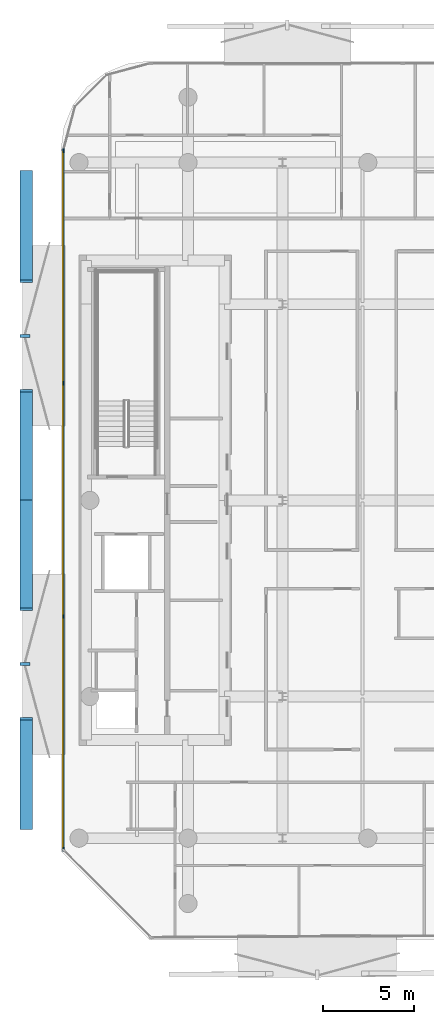
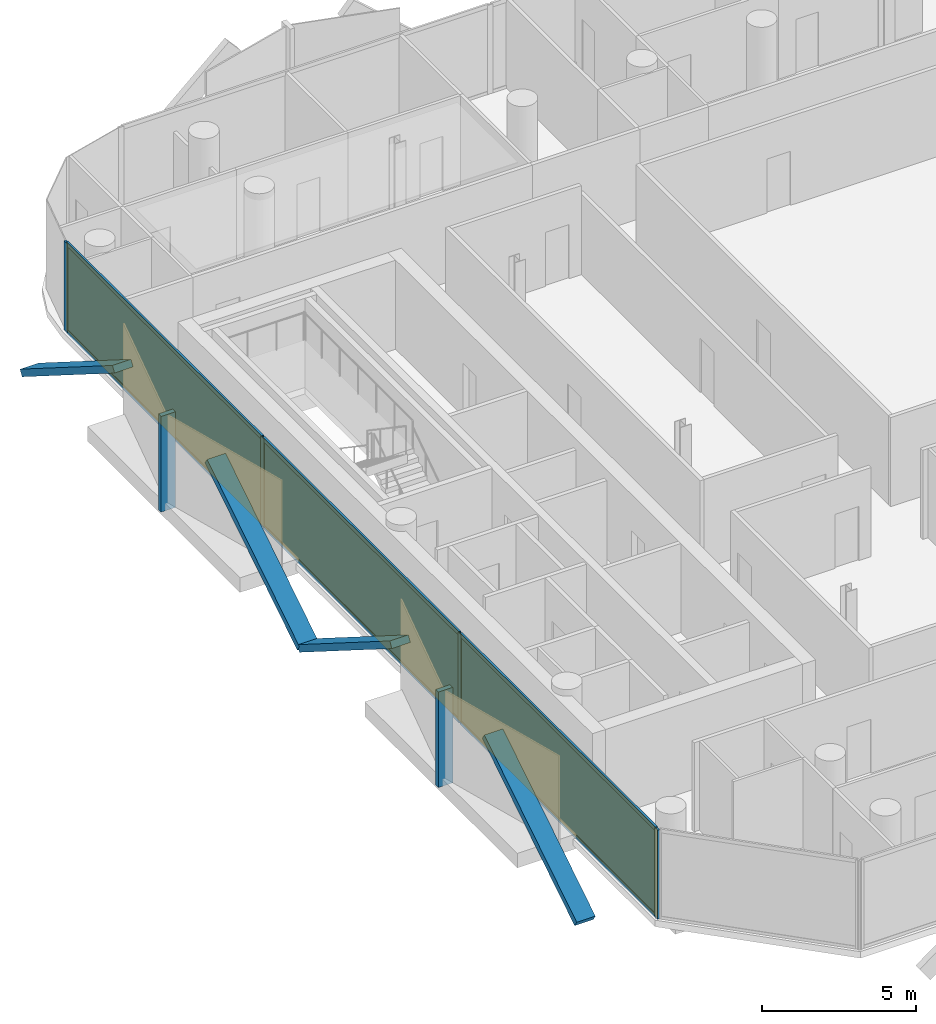
# One storey, part 10 of 16: 16 members, 3 plates, 1 curtain wall.
"""IFC4 building model written with IfcOpenShell, lengths in metres."""

from ifc_helpers import new_model, si_unit, direction, frame, frame_2d, origin, origin_2d, place, context, subcontext, project, spatial, rectangle, extrude, material, layer, layer_set, material_profile, profile_set, type_object, element, aggregate, save


model = new_model("IFC4")

# Units and contexts
model_context = context("Model", 3, precision=1e-05, world=origin(), true_north=direction((0.0, 1.0)))
body_context = subcontext(model_context, "Body", "Model", "MODEL_VIEW")
ifc_project = project(units=[si_unit("LENGTHUNIT", "METRE"), si_unit("AREAUNIT", "SQUARE_METRE"), si_unit("VOLUMEUNIT", "CUBIC_METRE"), si_unit("PLANEANGLEUNIT", "RADIAN"), si_unit("MASSUNIT", "GRAM", prefix="KILO")], contexts=[model_context])

# Member
ifc_material_1 = material(Name="Anodised Bronze Aluminium 6063-T6", Category="aluminium")
ifc_material_profile_1 = material_profile(ifc_material_1, rectangle(XDim=0.260009765625, YDim=0.699951171875, at=origin_2d()))
ifc_profile_set_1 = profile_set([ifc_material_profile_1], Name="Anodised Bronze Aluminium 6063-T6")
member_type_1 = type_object("IfcMemberType", Name="Bronze Diamond Solar-Screen Lattice Rib BDL-700", PredefinedType="MULLION", material=ifc_profile_set_1)
site_placement = place(None, origin())
building_placement = place(site_placement, origin())
storey_placement = place(building_placement, frame((0.0, 0.0, 277.60009765625)))
member_1_placement = place(storey_placement, frame((-23.300048828125, -18.0419921875, -0.130126953125), z_axis=(0.0, 0.845698220197, 0.533661428581), x_axis=(0.0, -0.533661428581, 0.845698220197)))
member_1 = element("IfcMember", 1, at=member_1_placement, type_object=member_type_1, Name="L66 Bronze Diamond Solar Screen Lattice Rib 456A", PredefinedType="MULLION", context=body_context, shape_type="SweptSolid", body=[
    extrude(rectangle(XDim=0.260009765625, YDim=0.699951171875, at=origin_2d()), origin(), (0.0, 0.0, 1.0), 7.12060546875),
])

member_2_placement = place(storey_placement, frame((-23.300048828125, 0.0244140625, -0.130126953125), z_axis=(0.0, -0.845707984235, 0.533645955107), x_axis=(0.0, 0.533645955107, 0.845707984235)))
member_2 = element("IfcMember", 2, at=member_2_placement, type_object=member_type_1, Name="L66 Bronze Diamond Solar Screen Lattice Rib 456B", PredefinedType="MULLION", context=body_context, shape_type="SweptSolid", body=[
    extrude(rectangle(XDim=0.260009765625, YDim=0.699951171875, at=origin_2d()), origin(), (0.0, 0.0, 1.0), 7.120849609375),
])

member_3_placement = place(storey_placement, frame((-23.300048828125, 0.0244140625, -0.130126953125), z_axis=(0.0, 0.845698220197, 0.533661428581), x_axis=(0.0, -0.533661428581, 0.845698220197)))
member_3 = element("IfcMember", 3, at=member_3_placement, type_object=member_type_1, Name="L66 Bronze Diamond Solar Screen Lattice Rib 457A", PredefinedType="MULLION", context=body_context, shape_type="SweptSolid", body=[
    extrude(rectangle(XDim=0.260009765625, YDim=0.699951171875, at=origin_2d()), origin(), (0.0, 0.0, 1.0), 7.12060546875),
])

member_4_placement = place(storey_placement, frame((-23.300048828125, 18.0908203125, -0.130126953125), z_axis=(0.0, -0.845707984235, 0.533645955107), x_axis=(0.0, 0.533645955107, 0.845707984235)))
member_4 = element("IfcMember", 4, at=member_4_placement, type_object=member_type_1, Name="L66 Bronze Diamond Solar Screen Lattice Rib 457B", PredefinedType="MULLION", context=body_context, shape_type="SweptSolid", body=[
    extrude(rectangle(XDim=0.260009765625, YDim=0.699951171875, at=origin_2d()), origin(), (0.0, 0.0, 1.0), 7.120849609375),
])

ifc_material_2 = material(Name="Anodised Bronze Aluminium 6063-T6", Category="aluminium")
ifc_material_profile_2 = material_profile(ifc_material_2, rectangle(XDim=0.179931640625, YDim=0.5400390625, at=origin_2d()))
ifc_profile_set_2 = profile_set([ifc_material_profile_2], Name="Anodised Bronze Aluminium 6063-T6")
member_type_2 = type_object("IfcMemberType", Name="Bronze Solar-Screen Vertical Fold Fin BSF-540", PredefinedType="MULLION", material=ifc_profile_set_2)
member_5_placement = place(storey_placement, frame((-23.3798828125, -9.0087890625, -0.130126953125), z_axis=(0.0, 0.0, 1.0), x_axis=(0.0, 1.0, 0.0)))
member_5 = element("IfcMember", 5, at=member_5_placement, type_object=member_type_2, Name="L66 Bronze Solar Screen Vertical Fin 456", PredefinedType="MULLION", context=body_context, shape_type="SweptSolid", body=[
    extrude(rectangle(XDim=0.179931640625, YDim=0.5400390625, at=origin_2d()), origin(), (0.0, 0.0, 1.0), 3.800048828125),
])

member_6_placement = place(storey_placement, frame((-23.3798828125, 9.0576171875, -0.130126953125), z_axis=(0.0, 0.0, 1.0), x_axis=(0.0, 1.0, 0.0)))
member_6 = element("IfcMember", 6, at=member_6_placement, type_object=member_type_2, Name="L66 Bronze Solar Screen Vertical Fin 457", PredefinedType="MULLION", context=body_context, shape_type="SweptSolid", body=[
    extrude(rectangle(XDim=0.179931640625, YDim=0.5400390625, at=origin_2d()), origin(), (0.0, 0.0, 1.0), 3.800048828125),
])

ifc_material_3 = material(Name="Anodised Bronze Aluminium 6063-T6", Category="aluminium")
ifc_material_profile_3 = material_profile(ifc_material_3, rectangle(XDim=0.074951171875, YDim=0.2099609375, at=origin_2d()))
ifc_profile_set_3 = profile_set([ifc_material_profile_3], Name="Anodised Bronze Aluminium 6063-T6")
member_type_3 = type_object("IfcMemberType", Name="CW-CRN Mullion 75x210", PredefinedType="MULLION", material=ifc_profile_set_3)
member_7_placement = place(storey_placement, frame((-21.260009765625, -19.20458984375, 0.0), z_axis=(0.0, 0.0, 1.0), x_axis=(-1.0, 0.0, 0.0)))
member_7 = element("IfcMember", 7, at=member_7_placement, type_object=member_type_3, Name="CW-CRN mullion 1", PredefinedType="MULLION", context=body_context, shape_type="SweptSolid", body=[
    extrude(rectangle(XDim=0.074951171875, YDim=0.2099609375, at=origin_2d()), origin(), (0.0, 0.0, 1.0), 3.539794921875),
])

member_8_placement = place(storey_placement, frame((-21.260009765625, -6.397705078125, 0.0), z_axis=(0.0, 0.0, 1.0), x_axis=(-1.0, 0.0, 0.0)))
member_8 = element("IfcMember", 8, at=member_8_placement, type_object=member_type_3, Name="CW-CRN mullion 2", PredefinedType="MULLION", context=body_context, shape_type="SweptSolid", body=[
    extrude(rectangle(XDim=0.074951171875, YDim=0.2099609375, at=origin_2d()), origin(), (0.0, 0.0, 1.0), 3.539794921875),
])

member_9_placement = place(storey_placement, frame((-21.260009765625, 6.446533203125, 0.0), z_axis=(0.0, 0.0, 1.0), x_axis=(-1.0, 0.0, 0.0)))
member_9 = element("IfcMember", 9, at=member_9_placement, type_object=member_type_3, Name="CW-CRN mullion 3", PredefinedType="MULLION", context=body_context, shape_type="SweptSolid", body=[
    extrude(rectangle(XDim=0.074951171875, YDim=0.2099609375, at=origin_2d()), origin(), (0.0, 0.0, 1.0), 3.539794921875),
])

member_10_placement = place(storey_placement, frame((-21.260009765625, 19.25341796875, 0.0), z_axis=(0.0, 0.0, 1.0), x_axis=(-1.0, 0.0, 0.0)))
member_10 = element("IfcMember", 10, at=member_10_placement, type_object=member_type_3, Name="CW-CRN mullion 4", PredefinedType="MULLION", context=body_context, shape_type="SweptSolid", body=[
    extrude(rectangle(XDim=0.074951171875, YDim=0.2099609375, at=origin_2d()), origin(), (0.0, 0.0, 1.0), 3.539794921875),
])

ifc_material_4 = material(Name="Anodised Bronze Aluminium 6063-T6", Category="aluminium")
ifc_material_profile_4 = material_profile(ifc_material_4, rectangle(XDim=0.074951171875, YDim=0.1650390625, at=origin_2d()))
ifc_profile_set_4 = profile_set([ifc_material_profile_4], Name="Anodised Bronze Aluminium 6063-T6")
member_type_4 = type_object("IfcMemberType", Name="CW-CRN Transom 75x165", PredefinedType="USERDEFINED", material=ifc_profile_set_4)
member_11_placement = place(storey_placement, frame((-21.260009765625, -19.1669921875, 0.037353515625), z_axis=(0.0, 1.0, 0.0), x_axis=(-1.0, 0.0, 0.0)))
member_11 = element("IfcMember", 11, at=member_11_placement, type_object=member_type_4, Name="CW-CRN transom 1.1", ObjectType="TRANSOM", PredefinedType="USERDEFINED", context=body_context, shape_type="SweptSolid", body=[
    extrude(rectangle(XDim=0.074951171875, YDim=0.1650390625, at=origin_2d()), origin(), (0.0, 0.0, 1.0), 12.731689453125),
])

member_12_placement = place(storey_placement, frame((-21.260009765625, -19.1669921875, 3.50244140625), z_axis=(0.0, 1.0, 0.0), x_axis=(-1.0, 0.0, 0.0)))
member_12 = element("IfcMember", 12, at=member_12_placement, type_object=member_type_4, Name="CW-CRN transom 1.2", ObjectType="TRANSOM", PredefinedType="USERDEFINED", context=body_context, shape_type="SweptSolid", body=[
    extrude(rectangle(XDim=0.074951171875, YDim=0.1650390625, at=origin_2d()), origin(), (0.0, 0.0, 1.0), 12.731689453125),
])

member_13_placement = place(storey_placement, frame((-21.260009765625, -6.3603515625, 0.037353515625), z_axis=(0.0, 1.0, 0.0), x_axis=(-1.0, 0.0, 0.0)))
member_13 = element("IfcMember", 13, at=member_13_placement, type_object=member_type_4, Name="CW-CRN transom 2.1", ObjectType="TRANSOM", PredefinedType="USERDEFINED", context=body_context, shape_type="SweptSolid", body=[
    extrude(rectangle(XDim=0.074951171875, YDim=0.1650390625, at=origin_2d()), origin(), (0.0, 0.0, 1.0), 12.769287109375),
])

member_14_placement = place(storey_placement, frame((-21.260009765625, -6.3603515625, 3.50244140625), z_axis=(0.0, 1.0, 0.0), x_axis=(-1.0, 0.0, 0.0)))
member_14 = element("IfcMember", 14, at=member_14_placement, type_object=member_type_4, Name="CW-CRN transom 2.2", ObjectType="TRANSOM", PredefinedType="USERDEFINED", context=body_context, shape_type="SweptSolid", body=[
    extrude(rectangle(XDim=0.074951171875, YDim=0.1650390625, at=origin_2d()), origin(), (0.0, 0.0, 1.0), 12.769287109375),
])

member_15_placement = place(storey_placement, frame((-21.260009765625, 6.484130859375, 0.037353515625), z_axis=(0.0, 1.0, 0.0), x_axis=(-1.0, 0.0, 0.0)))
member_15 = element("IfcMember", 15, at=member_15_placement, type_object=member_type_4, Name="CW-CRN transom 3.1", ObjectType="TRANSOM", PredefinedType="USERDEFINED", context=body_context, shape_type="SweptSolid", body=[
    extrude(rectangle(XDim=0.074951171875, YDim=0.1650390625, at=origin_2d()), origin(), (0.0, 0.0, 1.0), 12.731689453125),
])

member_16_placement = place(storey_placement, frame((-21.260009765625, 6.484130859375, 3.50244140625), z_axis=(0.0, 1.0, 0.0), x_axis=(-1.0, 0.0, 0.0)))
member_16 = element("IfcMember", 16, at=member_16_placement, type_object=member_type_4, Name="CW-CRN transom 3.2", ObjectType="TRANSOM", PredefinedType="USERDEFINED", context=body_context, shape_type="SweptSolid", body=[
    extrude(rectangle(XDim=0.074951171875, YDim=0.1650390625, at=origin_2d()), origin(), (0.0, 0.0, 1.0), 12.731689453125),
])

# Plate
ifc_material_5 = material(Name="Low-E Solar Control Laminated Glass", Category="glass")
ifc_layer_1 = layer(ifc_material_5, 0.035888671875, Name="Low-E Solar Control Laminated Glass")
ifc_layer_set_1 = layer_set([ifc_layer_1], Name="Low-E Solar Control Laminated Glass")
plate_type = type_object("IfcPlateType", Name="CW-CRN Low-E Double Glazed Panel 36mm", PredefinedType="CURTAIN_PANEL", material=ifc_layer_set_1)
plate_1_placement = place(storey_placement, frame((-21.260009765625, -12.801025390625, 0.0751953125), z_axis=(0.0, 0.0, 1.0), x_axis=(0.0, 1.0, 0.0)))
plate_1 = element("IfcPlate", 17, at=plate_1_placement, type_object=plate_type, Name="CW-CRN panel 1.1", PredefinedType="CURTAIN_PANEL", context=body_context, shape_type="SweptSolid", body=[
    extrude(rectangle(XDim=12.731689453125, YDim=0.035888671875, at=origin_2d()), origin(), (0.0, 0.0, 1.0), 3.389892578125),
])

plate_2_placement = place(storey_placement, frame((-21.260009765625, 0.0244140625, 0.0751953125), z_axis=(0.0, 0.0, 1.0), x_axis=(0.0, 1.0, 0.0)))
plate_2 = element("IfcPlate", 18, at=plate_2_placement, type_object=plate_type, Name="CW-CRN panel 2.1", PredefinedType="CURTAIN_PANEL", context=body_context, shape_type="SweptSolid", body=[
    extrude(rectangle(XDim=12.769287109375, YDim=0.035888671875, at=origin_2d()), origin(), (0.0, 0.0, 1.0), 3.389892578125),
])

plate_3_placement = place(storey_placement, frame((-21.260009765625, 12.849853515625, 0.0751953125), z_axis=(0.0, 0.0, 1.0), x_axis=(0.0, 1.0, 0.0)))
plate_3 = element("IfcPlate", 19, at=plate_3_placement, type_object=plate_type, Name="CW-CRN panel 3.1", PredefinedType="CURTAIN_PANEL", context=body_context, shape_type="SweptSolid", body=[
    extrude(rectangle(XDim=12.731689453125, YDim=0.035888671875, at=origin_2d()), origin(), (0.0, 0.0, 1.0), 3.389892578125),
])

# Site, building, storey
site = spatial("IfcSite", under=ifc_project, at=site_placement, CompositionType="ELEMENT")
building = spatial("IfcBuilding", under=site, at=building_placement, Name="Khairoan Windgate Tower", CompositionType="ELEMENT")
storey = spatial("IfcBuildingStorey", under=building, at=storey_placement, Name="L66", CompositionType="ELEMENT", Elevation=277.60009765625)

# Curtain wall
ifc_material_6 = material(Name="Anodised Bronze Aluminium 6063-T6", Category="aluminium")
ifc_layer_2 = layer(ifc_material_6, 0.2099609375, Name="Anodised Bronze Aluminium 6063-T6")
ifc_layer_set_2 = layer_set([ifc_layer_2], Name="Anodised Bronze Aluminium 6063-T6")
curtain_wall_type = type_object("IfcCurtainWallType", Name="Crown Observation and Vitrine Curtain Wall CW-CRN", PredefinedType="NOTDEFINED", material=ifc_layer_set_2)
curtain_wall_placement = place(storey_placement, frame((-21.260009765625, -19.241943359375, 0.0), z_axis=(0.0, 0.0, 1.0), x_axis=(0.0, 1.0, 0.0)))
curtain_wall = element("IfcCurtainWall", 20, at=curtain_wall_placement, inside=storey, type_object=curtain_wall_type, Name="L66 Unitised Curtain Wall 3", PredefinedType="NOTDEFINED", context=body_context, shape_type="SweptSolid", body=[
    extrude(rectangle(XDim=38.53271484375, YDim=0.010009765625, at=frame_2d((19.266357421875, 0.0))), origin(), (0.0, 0.0, 1.0), 3.539794921875),
])

aggregate(curtain_wall, [member_7, member_8, member_9, member_10, member_11, member_12, plate_1, member_13, member_14, plate_2, member_15, member_16, plate_3, member_1, member_2, member_5, member_3, member_4, member_6])

save(model, "model.ifc")
